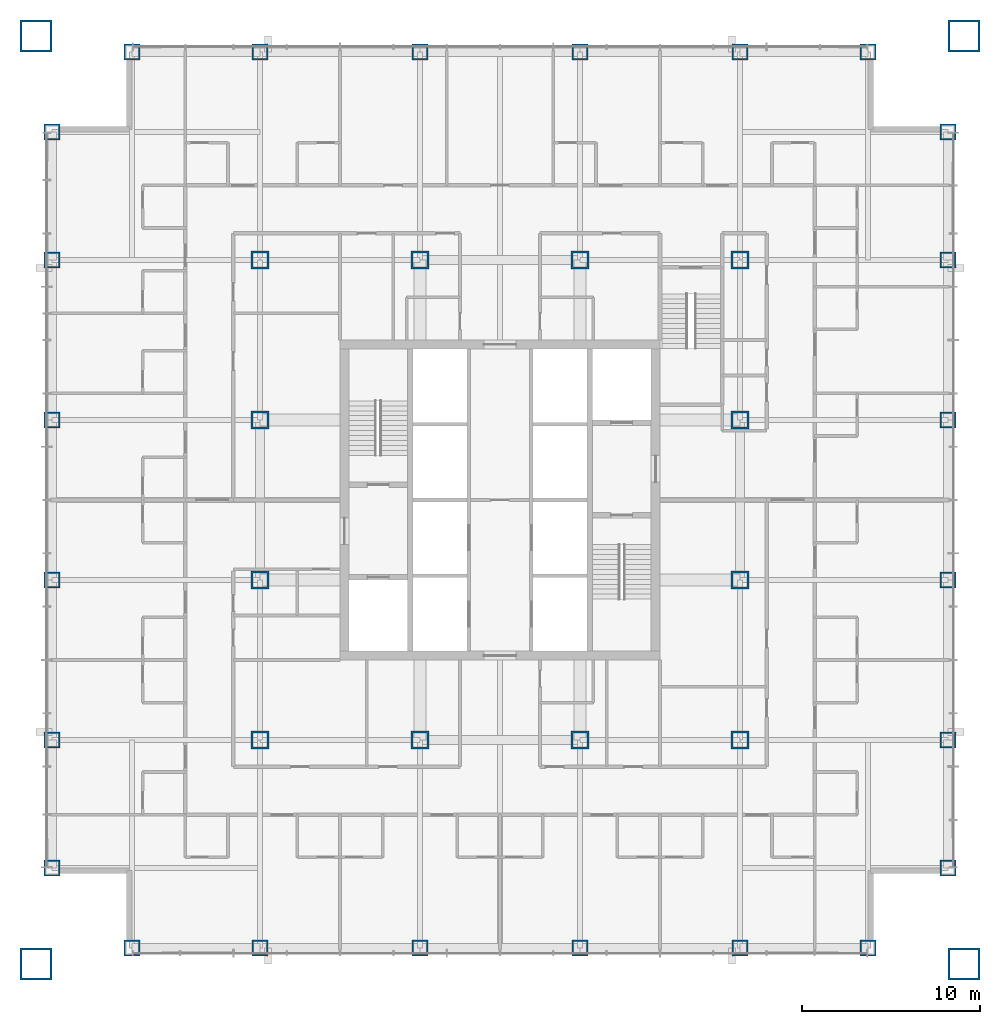
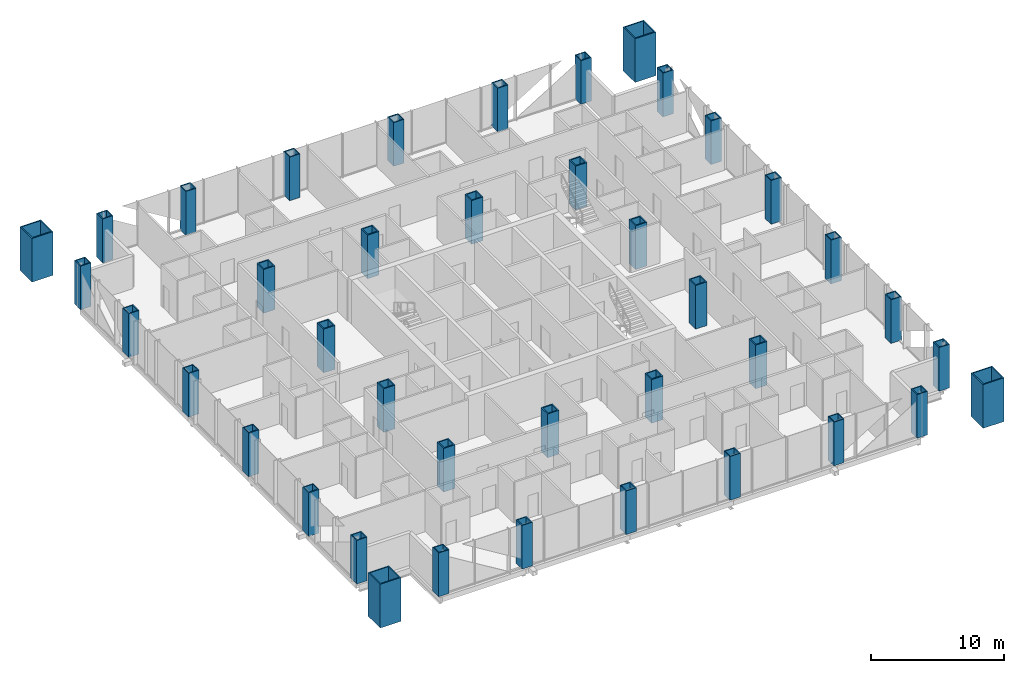
# One storey, part 1 of 13: 40 columns.
"""IFC4 building model written with IfcOpenShell, lengths in metres."""

from ifc_helpers import new_model, si_unit, direction, frame, origin, origin_2d, place, context, subcontext, project, spatial, hollow_rectangle, extrude, material, material_profile, profile_set, type_object, element, save


model = new_model("IFC4")

# Units and contexts
model_context = context("Model", 3, precision=1e-05, world=origin(), true_north=direction((0.0, 1.0)))
body_context = subcontext(model_context, "Body", "Model", "MODEL_VIEW")
ifc_project = project(units=[si_unit("LENGTHUNIT", "METRE"), si_unit("AREAUNIT", "SQUARE_METRE"), si_unit("VOLUMEUNIT", "CUBIC_METRE"), si_unit("PLANEANGLEUNIT", "RADIAN"), si_unit("MASSUNIT", "GRAM", prefix="KILO")], contexts=[model_context])

# Site, building, storey
site_placement = place(None, origin())
site = spatial("IfcSite", under=ifc_project, at=site_placement, CompositionType="ELEMENT")
building_placement = place(site_placement, origin())
building = spatial("IfcBuilding", under=site, at=building_placement, Name="Malebo Sky Hospital", CompositionType="ELEMENT")
storey_placement = place(building_placement, frame((0.0, 0.0, 87.0)))
storey = spatial("IfcBuildingStorey", under=building, at=storey_placement, Name="L20", CompositionType="ELEMENT", Elevation=87.0)

# Columns
ifc_material = material(Name="Steel S460", Category="steel")
ifc_material_profile_1 = material_profile(ifc_material, hollow_rectangle(XDim=1.0, YDim=1.0, WallThickness=0.10009765625, at=origin_2d()), Name="BOX 1000x1000x100")
ifc_profile_set_1 = profile_set([ifc_material_profile_1], Name="Steel S460")
column_type_1 = type_object("IfcColumnType", Name="INNER COLUMN BOX 1000x1000x100", PredefinedType="COLUMN", material=ifc_profile_set_1)
for number, where, z_axis, x_axis, name in (
    (1, (46.5, 48.5, 0.0), (0.0, 0.0, 1.0), (1.0, 0.0, 0.0), "Column IC9 L20"),
    (2, (73.5, 48.5, 0.0), (0.0, 0.0, 1.0), (1.0, 0.0, 0.0), "Column IC9 L20"),
    (3, (73.5, 75.5, 0.0), (0.0, 0.0, 1.0), (1.0, 0.0, 0.0), "Column IC9 L20"),
    (4, (46.5, 75.5, 0.0), (0.0, 0.0, 1.0), (1.0, 0.0, 0.0), "Column IC9 L20"),
    (5, (55.5, 48.5, 0.0), (0.0, 0.0, 1.0), (1.0, 0.0, 0.0), "Column IC9 L20"),
    (6, (64.5, 48.5, 0.0), (0.0, 0.0, 1.0), (1.0, 0.0, 0.0), "Column IC9 L20"),
    (7, (55.5, 75.5, 0.0), (0.0, 0.0, 1.0), (1.0, 0.0, 0.0), "Column IC9 L20"),
    (8, (64.5, 75.5, 0.0), (0.0, 0.0, 1.0), (1.0, 0.0, 0.0), "Column IC9 L20"),
    (9, (46.5, 57.5, 0.0), (0.0, 0.0, 1.0), (1.0, 0.0, 0.0), "Column IC9 L20"),
    (10, (46.5, 66.5, 0.0), (0.0, 0.0, 1.0), (1.0, 0.0, 0.0), "Column IC9 L20"),
    (11, (73.5, 57.5, 0.0), (0.0, 0.0, 1.0), (1.0, 0.0, 0.0), "Column IC9 L20"),
    (12, (73.5, 66.5, 0.0), (0.0, 0.0, 1.0), (1.0, 0.0, 0.0), "Column IC9 L20"),
):
    element("IfcColumn", number, at=place(storey_placement, frame(where, z_axis=z_axis, x_axis=x_axis)), inside=storey, type_object=column_type_1, Name=name, PredefinedType="COLUMN", context=body_context, shape_type="SweptSolid", body=[
        extrude(hollow_rectangle(XDim=1.0, YDim=1.0, WallThickness=0.10009765625, at=origin_2d()), origin(), (0.0, 0.0, 1.0), 4.0),
    ])
ifc_material_profile_2 = material_profile(ifc_material, hollow_rectangle(XDim=1.800048828125, YDim=1.800048828125, WallThickness=0.10009765625, at=origin_2d()), Name="BOX 1800x1800x100")
ifc_profile_set_2 = profile_set([ifc_material_profile_2], Name="Steel S460")
column_type_2 = type_object("IfcColumnType", Name="MEGA COLUMN BOX 1800x1800x100", PredefinedType="COLUMN", material=ifc_profile_set_2)
for number, where, z_axis, x_axis, name in (
    (13, (33.89990234375, 35.89990234375, 0.0), (0.0, 0.0, 1.0), (1.0, 0.0, 0.0), "Mega column SW L20"),
    (14, (86.10009765625, 35.89990234375, 0.0), (0.0, 0.0, 1.0), (1.0, 0.0, 0.0), "Mega column SE L20"),
    (15, (86.10009765625, 88.10009765625, 0.0), (0.0, 0.0, 1.0), (1.0, 0.0, 0.0), "Mega column NE L20"),
    (16, (33.89990234375, 88.10009765625, 0.0), (0.0, 0.0, 1.0), (1.0, 0.0, 0.0), "Mega column NW L20"),
):
    element("IfcColumn", number, at=place(storey_placement, frame(where, z_axis=z_axis, x_axis=x_axis)), inside=storey, type_object=column_type_2, Name=name, PredefinedType="COLUMN", context=body_context, shape_type="SweptSolid", body=[
        extrude(hollow_rectangle(XDim=1.800048828125, YDim=1.800048828125, WallThickness=0.10009765625, at=origin_2d()), origin(), (0.0, 0.0, 1.0), 4.0),
    ])
ifc_material_profile_3 = material_profile(ifc_material, hollow_rectangle(XDim=0.89990234375, YDim=0.89990234375, WallThickness=0.080078125, at=origin_2d()), Name="BOX 900x900x80")
ifc_profile_set_3 = profile_set([ifc_material_profile_3], Name="Steel S460")
column_type_3 = type_object("IfcColumnType", Name="PERIMETER COLUMN BOX 900x900x80", PredefinedType="COLUMN", material=ifc_profile_set_3)
for number, where, z_axis, x_axis, name in (
    (17, (39.300048828125, 36.800048828125, 0.0), (0.0, 0.0, 1.0), (1.0, 0.0, 0.0), "Column PC8 L20"),
    (18, (39.300048828125, 87.199951171875, 0.0), (0.0, 0.0, 1.0), (1.0, 0.0, 0.0), "Column PC8 L20"),
    (19, (34.800048828125, 41.300048828125, 0.0), (0.0, 0.0, 1.0), (1.0, 0.0, 0.0), "Column PC8 L20"),
    (20, (85.199951171875, 41.300048828125, 0.0), (0.0, 0.0, 1.0), (1.0, 0.0, 0.0), "Column PC8 L20"),
    (21, (46.5, 36.800048828125, 0.0), (0.0, 0.0, 1.0), (1.0, 0.0, 0.0), "Column PC8 L20"),
    (22, (46.5, 87.199951171875, 0.0), (0.0, 0.0, 1.0), (1.0, 0.0, 0.0), "Column PC8 L20"),
    (23, (34.800048828125, 48.5, 0.0), (0.0, 0.0, 1.0), (1.0, 0.0, 0.0), "Column PC8 L20"),
    (24, (85.199951171875, 48.5, 0.0), (0.0, 0.0, 1.0), (1.0, 0.0, 0.0), "Column PC8 L20"),
    (25, (55.5, 36.800048828125, 0.0), (0.0, 0.0, 1.0), (1.0, 0.0, 0.0), "Column PC8 L20"),
    (26, (55.5, 87.199951171875, 0.0), (0.0, 0.0, 1.0), (1.0, 0.0, 0.0), "Column PC8 L20"),
    (27, (34.800048828125, 57.5, 0.0), (0.0, 0.0, 1.0), (1.0, 0.0, 0.0), "Column PC8 L20"),
    (28, (85.199951171875, 57.5, 0.0), (0.0, 0.0, 1.0), (1.0, 0.0, 0.0), "Column PC8 L20"),
    (29, (64.5, 36.800048828125, 0.0), (0.0, 0.0, 1.0), (1.0, 0.0, 0.0), "Column PC8 L20"),
    (30, (64.5, 87.199951171875, 0.0), (0.0, 0.0, 1.0), (1.0, 0.0, 0.0), "Column PC8 L20"),
    (31, (34.800048828125, 66.5, 0.0), (0.0, 0.0, 1.0), (1.0, 0.0, 0.0), "Column PC8 L20"),
    (32, (85.199951171875, 66.5, 0.0), (0.0, 0.0, 1.0), (1.0, 0.0, 0.0), "Column PC8 L20"),
    (33, (73.5, 36.800048828125, 0.0), (0.0, 0.0, 1.0), (1.0, 0.0, 0.0), "Column PC8 L20"),
    (34, (73.5, 87.199951171875, 0.0), (0.0, 0.0, 1.0), (1.0, 0.0, 0.0), "Column PC8 L20"),
    (35, (34.800048828125, 75.5, 0.0), (0.0, 0.0, 1.0), (1.0, 0.0, 0.0), "Column PC8 L20"),
    (36, (85.199951171875, 75.5, 0.0), (0.0, 0.0, 1.0), (1.0, 0.0, 0.0), "Column PC8 L20"),
    (37, (80.699951171875, 36.800048828125, 0.0), (0.0, 0.0, 1.0), (1.0, 0.0, 0.0), "Column PC8 L20"),
    (38, (80.699951171875, 87.199951171875, 0.0), (0.0, 0.0, 1.0), (1.0, 0.0, 0.0), "Column PC8 L20"),
    (39, (34.800048828125, 82.699951171875, 0.0), (0.0, 0.0, 1.0), (1.0, 0.0, 0.0), "Column PC8 L20"),
    (40, (85.199951171875, 82.699951171875, 0.0), (0.0, 0.0, 1.0), (1.0, 0.0, 0.0), "Column PC8 L20"),
):
    element("IfcColumn", number, at=place(storey_placement, frame(where, z_axis=z_axis, x_axis=x_axis)), inside=storey, type_object=column_type_3, Name=name, PredefinedType="COLUMN", context=body_context, shape_type="SweptSolid", body=[
        extrude(hollow_rectangle(XDim=0.89990234375, YDim=0.89990234375, WallThickness=0.080078125, at=origin_2d()), origin(), (0.0, 0.0, 1.0), 4.0),
    ])

save(model, "model.ifc")
